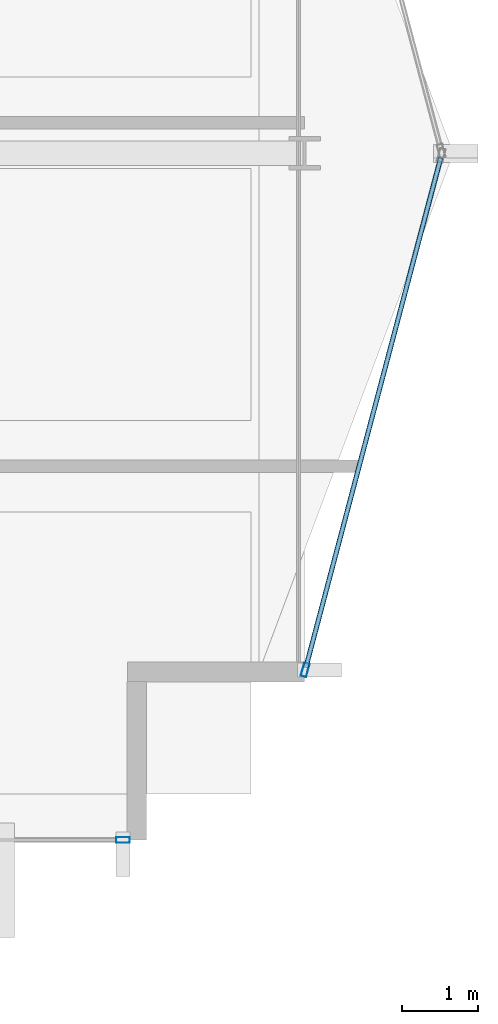
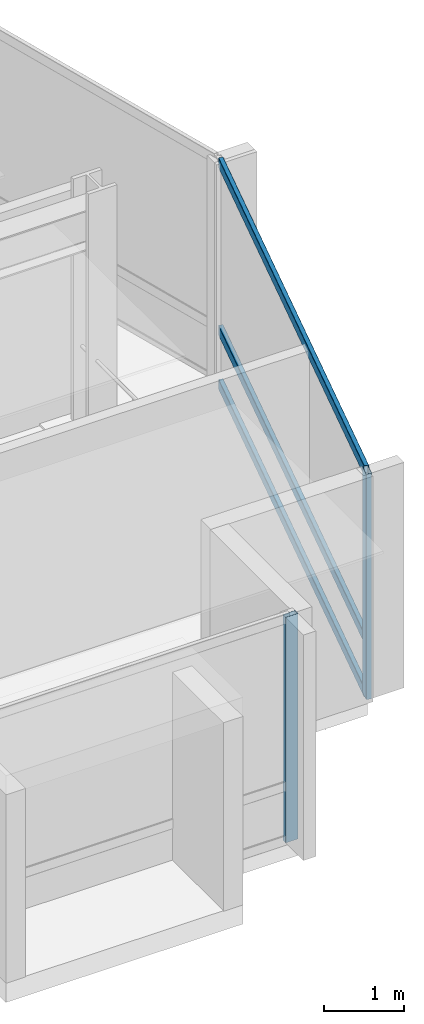
# One storey, part 11 of 29: 5 members, 2 elements without a shape of their own.
"""IFC4 building model written with IfcOpenShell, lengths in metres."""

import ifcopenshell
import ifcopenshell.guid

model = None  # the IFC model being written
_history = None  # IfcOwnerHistory: only IFC2X3 demands one
_inside = {}  # id of a spatial element -> (the spatial element, [elements in it])
_under = {}  # id of a project, library or spatial element -> (it, [spatial elements below it])
_declared = {}  # id of a project -> (the project, [libraries it declares])
_typed = {}  # id of a type object -> (the type object, [elements of that type])
_made_of = {}  # id of a material, layer set ... -> (it, [elements and type objects made of it])


def new_model(schema):
    """Start an empty IFC model of exactly this schema.

    Asked for "IFC4X3", IfcOpenShell would pick the latest addendum, in which some entities
    have other attributes; the version numbers below select the first issue.
    IFC2X3 requires an IfcOwnerHistory on every rooted entity: one is made here for all.
    """
    global model, _history
    if schema == "IFC4X3":
        model = ifcopenshell.file(schema_version=(4, 3, 0, 0))
    else:
        model = ifcopenshell.file(schema=schema)
    _inside.clear()
    _under.clear()
    _declared.clear()
    _typed.clear()
    _made_of.clear()
    _history = None
    if model.schema == "IFC2X3":
        org = make("IfcOrganization", Name="unknown")
        user = make(
            "IfcPersonAndOrganization",
            ThePerson=make("IfcPerson", FamilyName="unknown"),
            TheOrganization=org,
        )
        app = make(
            "IfcApplication",
            ApplicationDeveloper=org,
            Version="unknown",
            ApplicationFullName="unknown",
            ApplicationIdentifier="unknown",
        )
        _history = make(
            "IfcOwnerHistory",
            OwningUser=user,
            OwningApplication=app,
            ChangeAction="ADDED",
            CreationDate=0,
        )
    return model


def make(cls, **values):
    """One entity of the class cls with the attributes given. An attribute that is None is left unset."""
    return model.create_entity(
        cls, **{name: value for name, value in values.items() if value is not None}
    )


def rooted(cls, **values):
    """An entity with a GlobalId (a new one), such as an element, a storey or a relation."""
    return make(cls, GlobalId=ifcopenshell.guid.new(), OwnerHistory=_history, **values)


def si_unit(unit_type, name, prefix=None):
    """IfcSIUnit, for example si_unit("LENGTHUNIT", "METRE", prefix="MILLI")."""
    return make("IfcSIUnit", UnitType=unit_type, Prefix=prefix, Name=name)


def assignment(units):
    """IfcUnitAssignment: the units of a project."""
    return None if units is None else make("IfcUnitAssignment", Units=units)


def point(xyz):
    """IfcCartesianPoint."""
    return None if xyz is None else make("IfcCartesianPoint", Coordinates=xyz)


def direction(xyz):
    """IfcDirection."""
    return None if xyz is None else make("IfcDirection", DirectionRatios=xyz)


def frame(location, z_axis=None, x_axis=None):
    """IfcAxis2Placement3D, a coordinate frame: its origin and axes. An axis left out is left unset."""
    return make(
        "IfcAxis2Placement3D",
        Location=point(location),
        Axis=direction(z_axis),
        RefDirection=direction(x_axis),
    )


def frame_2d(location, x_axis=None):
    """IfcAxis2Placement2D, a coordinate frame in the plane: its origin and x axis."""
    return make(
        "IfcAxis2Placement2D", Location=point(location), RefDirection=direction(x_axis)
    )


def origin():
    """The frame at (0, 0, 0) with its axes left unset."""
    return frame((0.0, 0.0, 0.0))


def origin_2d():
    """The frame at (0, 0) in the plane with its x axis left unset."""
    return frame_2d((0.0, 0.0))


def place(relative_to, where):
    """IfcLocalPlacement: puts the frame where relative to a parent placement (None: the world)."""
    return make(
        "IfcLocalPlacement", PlacementRelTo=relative_to, RelativePlacement=where
    )


def context(
    kind, dimensions, precision=None, world=None, true_north=None, identifier=None
):
    """IfcGeometricRepresentationContext, for example the 3D "Model" context."""
    return make(
        "IfcGeometricRepresentationContext",
        ContextIdentifier=identifier,
        ContextType=kind,
        CoordinateSpaceDimension=dimensions,
        Precision=precision,
        WorldCoordinateSystem=world,
        TrueNorth=true_north,
    )


def subcontext(parent, identifier, kind, view, scale=None):
    """IfcGeometricRepresentationSubContext, for example "Body" below "Model"."""
    return make(
        "IfcGeometricRepresentationSubContext",
        ContextIdentifier=identifier,
        ContextType=kind,
        ParentContext=parent,
        TargetScale=scale,
        TargetView=view,
    )


def project(units=None, contexts=None):
    """IfcProject with its units and contexts."""
    return rooted(
        "IfcProject",
        Name="project",
        RepresentationContexts=contexts,
        UnitsInContext=assignment(units),
    )


def spatial(cls, under=None, at=None, **own):
    """A site, building, storey or space (cls), placed at a placement, below another one or the project."""
    s = rooted(cls, ObjectPlacement=at, **own)
    if under is not None:
        _under.setdefault(under.id(), (under, []))[1].append(s)
    return s


def profile(cls, at=None, kind="AREA", **sizes):
    """A parametric profile (cls). Its sizes go by their IFC names, for example OverallWidth=200.0."""
    return make(cls, ProfileType=kind, Position=at, **sizes)


def hollow_rectangle(**sizes):
    """IfcRectangleHollowProfileDef."""
    return profile("IfcRectangleHollowProfileDef", **sizes)


def extrude(swept, where, along, depth):
    """IfcExtrudedAreaSolid: the profile swept, set in the frame where, extruded along a direction by depth."""
    return make(
        "IfcExtrudedAreaSolid",
        SweptArea=swept,
        Position=where,
        ExtrudedDirection=direction(along),
        Depth=depth,
    )


def shape(context_of_items, identifier, shape_type, items):
    """IfcShapeRepresentation: the items that make up one representation, for example the "Body"."""
    return make(
        "IfcShapeRepresentation",
        ContextOfItems=context_of_items,
        RepresentationIdentifier=identifier,
        RepresentationType=shape_type,
        Items=items,
    )


def material(Name=None, Category=None):
    """IfcMaterial."""
    return make("IfcMaterial", Name=Name, Category=Category)


def layer(
    of_material, thickness, ventilated=None, Name=None, Category=None, Priority=None
):
    """IfcMaterialLayer: one layer of a wall or slab, of a material (None: an air gap)."""
    return make(
        "IfcMaterialLayer",
        Material=of_material,
        LayerThickness=thickness,
        IsVentilated=ventilated,
        Name=Name,
        Category=Category,
        Priority=Priority,
    )


def layer_set(layers, Name=None):
    """IfcMaterialLayerSet."""
    return make("IfcMaterialLayerSet", MaterialLayers=layers, LayerSetName=Name)


def material_profile(
    of_material, cross_section, Name=None, Category=None, Priority=None
):
    """IfcMaterialProfile: a cross section and its material."""
    return make(
        "IfcMaterialProfile",
        Name=Name,
        Material=of_material,
        Profile=cross_section,
        Priority=Priority,
        Category=Category,
    )


def profile_set(profiles, Name=None, composite=None):
    """IfcMaterialProfileSet."""
    return make(
        "IfcMaterialProfileSet",
        Name=Name,
        MaterialProfiles=profiles,
        CompositeProfile=composite,
    )


def made_of(thing, what):
    """Note that an element or type object is made of a material, layer set ...; save() writes the relation."""
    if what is not None:
        _made_of.setdefault(what.id(), (what, []))[1].append(thing)
    return thing


def type_object(cls, material=None, **own):
    """A type object (cls), such as IfcWallType, which elements share."""
    return made_of(rooted(cls, **own), material)


def element(
    cls,
    number,
    at=None,
    inside=None,
    cuts=None,
    type_object=None,
    material=None,
    context=None,
    identifier="Body",
    shape_type=None,
    held_by="IfcProductDefinitionShape",
    body=None,
    shapes=None,
    **own,
):
    """One element of the class cls, such as IfcWall. Its Tag is "e" and its number.

    at: its placement. inside: the storey or other place that contains it. cuts: it is an
    opening in that element (IfcRelVoidsElement). A single representation is given by context,
    identifier, shape_type and body (its items); several are given by shapes. held_by: the class
    of the entity that holds the representations. save() writes the other relations.
    """
    e = rooted(cls, Tag="e%d" % number, ObjectPlacement=at, **own)
    if body is not None:
        shapes = [shape(context, identifier, shape_type, body)]
    if shapes is not None:
        e.Representation = make(held_by, Representations=shapes)
    if inside is not None:
        _inside.setdefault(inside.id(), (inside, []))[1].append(e)
    if cuts is not None:
        rooted(
            "IfcRelVoidsElement", RelatingBuildingElement=cuts, RelatedOpeningElement=e
        )
    if type_object is not None:
        _typed.setdefault(type_object.id(), (type_object, []))[1].append(e)
    return made_of(e, material)


def aggregate(whole, parts):
    """IfcRelAggregates: a whole, such as a stair, and the parts it consists of."""
    return rooted("IfcRelAggregates", RelatingObject=whole, RelatedObjects=parts)


def save(model, path):
    """Write the relations noted so far, then the file.

    IfcRelAggregates (storeys below a building ...), IfcRelContainedInSpatialStructure (elements
    in a storey), IfcRelDefinesByType, IfcRelAssociatesMaterial and IfcRelDeclares: one each for
    every whole, place, type object, material and project.
    """
    for whole, parts in _under.values():
        aggregate(whole, parts)
    for where, things in _inside.values():
        rooted(
            "IfcRelContainedInSpatialStructure",
            RelatedElements=things,
            RelatingStructure=where,
        )
    for kind, things in _typed.values():
        rooted("IfcRelDefinesByType", RelatedObjects=things, RelatingType=kind)
    for what, things in _made_of.values():
        rooted("IfcRelAssociatesMaterial", RelatedObjects=things, RelatingMaterial=what)
    for by, libraries in _declared.values():
        rooted("IfcRelDeclares", RelatingContext=by, RelatedDefinitions=libraries)
    model.write(path)


model = new_model("IFC4")

# Units and contexts
model_context = context("Model", 3, precision=1e-05, world=origin(), true_north=direction((0.0, 1.0)))
body_context = subcontext(model_context, "Body", "Model", "MODEL_VIEW")
ifc_project = project(units=[si_unit("LENGTHUNIT", "METRE"), si_unit("AREAUNIT", "SQUARE_METRE"), si_unit("VOLUMEUNIT", "CUBIC_METRE"), si_unit("PLANEANGLEUNIT", "RADIAN"), si_unit("MASSUNIT", "GRAM", prefix="KILO")], contexts=[model_context])

# Site, building, storey
site_placement = place(None, origin())
site = spatial("IfcSite", under=ifc_project, at=site_placement, CompositionType="ELEMENT")
building_placement = place(site_placement, origin())
building = spatial("IfcBuilding", under=site, at=building_placement, Name="Solvaryn Broadcast Tower", CompositionType="ELEMENT")
storey_placement = place(building_placement, frame((0.0, 0.0, 143.300048828125)))
storey = spatial("IfcBuildingStorey", under=building, at=storey_placement, Name="L35", CompositionType="ELEMENT", Elevation=143.300048828125)

# Curtain wall, member
ifc_material_1 = material(Name="Aluminium and Terracotta Unitised Curtain Wall", Category="masonry")
ifc_layer = layer(ifc_material_1, 0.199951171875)
ifc_layer_set = layer_set([ifc_layer], Name="CW-SYS2-LOWMID")
curtain_wall_type = type_object("IfcCurtainWallType", Name="CW-SYS2-LOWMID", PredefinedType="NOTDEFINED", material=ifc_layer_set)
curtain_wall_1_placement = place(storey_placement, origin())
curtain_wall_1 = element("IfcCurtainWall", 1, at=curtain_wall_1_placement, inside=storey, type_object=curtain_wall_type, Name="L35 Curtain Wall S2", PredefinedType="NOTDEFINED")
ifc_material_2 = material(Name="Anodised Aluminium 6063-T6", Category="aluminium")
ifc_material_profile_1 = material_profile(ifc_material_2, hollow_rectangle(XDim=0.074951171875, YDim=0.179931640625, WallThickness=0.00390625, InnerFilletRadius=0.00390625, OuterFilletRadius=0.008056640625, at=origin_2d()))
ifc_profile_set_1 = profile_set([ifc_material_profile_1], Name="Anodised Aluminium 6063-T6")
member_type_1 = type_object("IfcMemberType", Name="CW-MUL-180", PredefinedType="MULLION", material=ifc_profile_set_1)
member_1_placement = place(storey_placement, frame((51.6201171875, 9.0, 0.0), z_axis=(0.0, 0.0, 1.0), x_axis=(0.0, 1.0, 0.0)))
member_1 = element("IfcMember", 2, at=member_1_placement, type_object=member_type_1, Name="CWS2 mullion 2", PredefinedType="MULLION", context=body_context, shape_type="SweptSolid", body=[
    extrude(hollow_rectangle(XDim=0.074951171875, YDim=0.179931640625, WallThickness=0.00390625, InnerFilletRadius=0.00390625, OuterFilletRadius=0.008056640625, at=origin_2d()), origin(), (0.0, 0.0, 1.0), 3.419921875),
])
aggregate(curtain_wall_1, [member_1])

# Curtain wall, members
curtain_wall_2_placement = place(storey_placement, origin())
curtain_wall_2 = element("IfcCurtainWall", 3, at=curtain_wall_2_placement, inside=storey, type_object=curtain_wall_type, Name="L35 Curtain Wall ET2", PredefinedType="NOTDEFINED")
member_2_placement = place(storey_placement, frame((54.007568359375, 11.22900390625, 0.0), z_axis=(0.0, 0.0, 1.0), x_axis=(0.966705227863, -0.25589256031, 0.0)))
member_2 = element("IfcMember", 4, at=member_2_placement, type_object=member_type_1, Name="CWS2 mullion 2", PredefinedType="MULLION", context=body_context, shape_type="SweptSolid", body=[
    extrude(hollow_rectangle(XDim=0.074951171875, YDim=0.179931640625, WallThickness=0.00390625, InnerFilletRadius=0.00390625, OuterFilletRadius=0.008056640625, at=origin_2d()), origin(), (0.0, 0.0, 1.0), 3.419921875),
])
ifc_material_3 = material(Name="Anodised Aluminium 6063-T6", Category="aluminium")
ifc_material_profile_2 = material_profile(ifc_material_3, hollow_rectangle(XDim=0.06494140625, YDim=0.14990234375, WallThickness=0.00390625, InnerFilletRadius=0.00390625, OuterFilletRadius=0.008056640625, at=origin_2d()))
ifc_profile_set_2 = profile_set([ifc_material_profile_2], Name="Anodised Aluminium 6063-T6")
member_type_2 = type_object("IfcMemberType", Name="CW-TRN-150", PredefinedType="USERDEFINED", material=ifc_profile_set_2)
member_3_placement = place(storey_placement, frame((55.78466796875, 17.94189453125, 0.030029296875), z_axis=(-0.255897413051, -0.966703943301, 0.0), x_axis=(0.966703943301, -0.255897413051, 0.0)))
member_3 = element("IfcMember", 5, at=member_3_placement, type_object=member_type_2, Name="CWS2 transom 1.1", ObjectType="TRANSOM", PredefinedType="USERDEFINED", context=body_context, shape_type="SweptSolid", body=[
    extrude(hollow_rectangle(XDim=0.06494140625, YDim=0.14990234375, WallThickness=0.00390625, InnerFilletRadius=0.00390625, OuterFilletRadius=0.008056640625, at=origin_2d()), origin(), (0.0, 0.0, 1.0), 6.9140625),
])
member_4_placement = place(storey_placement, frame((55.78466796875, 17.94189453125, 0.849853515625), z_axis=(-0.255897413051, -0.966703943301, 0.0), x_axis=(0.966703943301, -0.255897413051, 0.0)))
member_4 = element("IfcMember", 6, at=member_4_placement, type_object=member_type_2, Name="CWS2 transom 1.2", ObjectType="TRANSOM", PredefinedType="USERDEFINED", context=body_context, shape_type="SweptSolid", body=[
    extrude(hollow_rectangle(XDim=0.06494140625, YDim=0.14990234375, WallThickness=0.00390625, InnerFilletRadius=0.00390625, OuterFilletRadius=0.008056640625, at=origin_2d()), origin(), (0.0, 0.0, 1.0), 6.9140625),
])
member_5_placement = place(storey_placement, frame((55.78466796875, 17.94189453125, 3.389892578125), z_axis=(-0.255897413051, -0.966703943301, 0.0), x_axis=(0.966703943301, -0.255897413051, 0.0)))
member_5 = element("IfcMember", 7, at=member_5_placement, type_object=member_type_2, Name="CWS2 transom 1.3", ObjectType="TRANSOM", PredefinedType="USERDEFINED", context=body_context, shape_type="SweptSolid", body=[
    extrude(hollow_rectangle(XDim=0.06494140625, YDim=0.14990234375, WallThickness=0.00390625, InnerFilletRadius=0.00390625, OuterFilletRadius=0.008056640625, at=origin_2d()), origin(), (0.0, 0.0, 1.0), 6.9140625),
])
aggregate(curtain_wall_2, [member_2, member_3, member_4, member_5])

save(model, "model.ifc")
